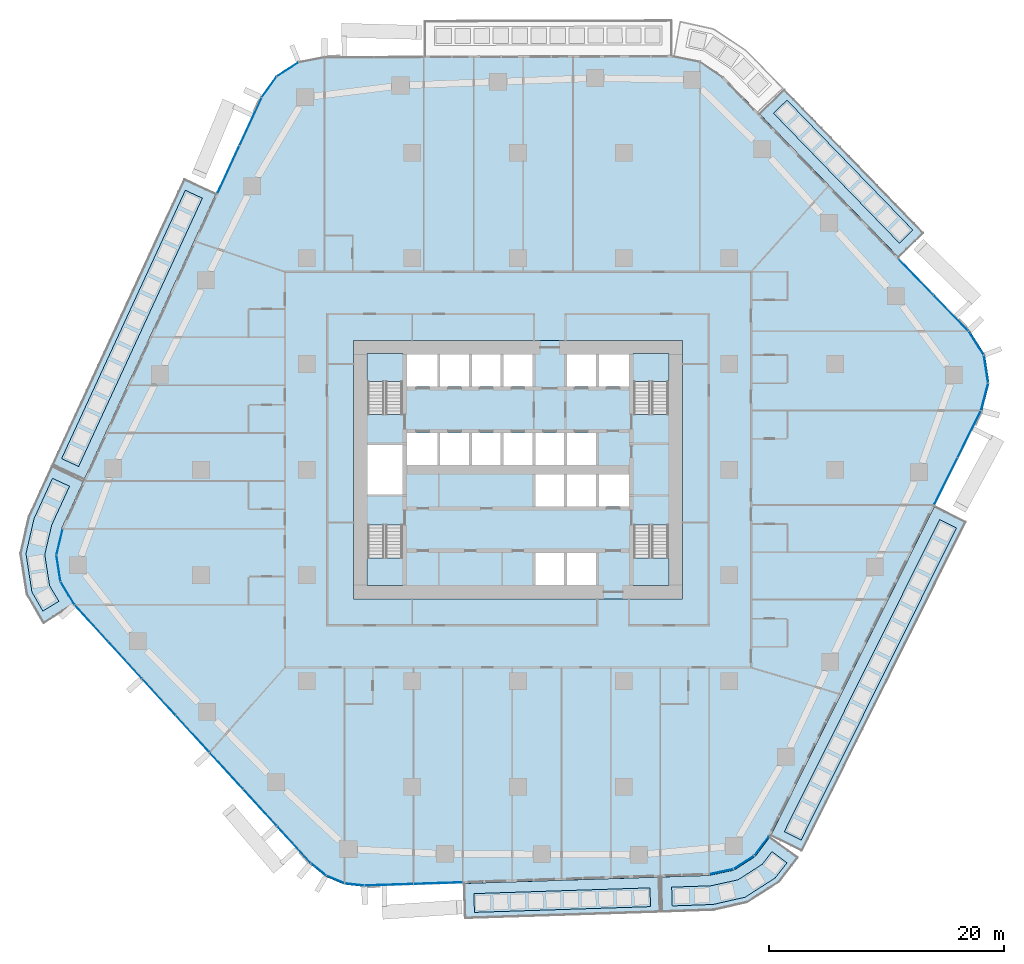
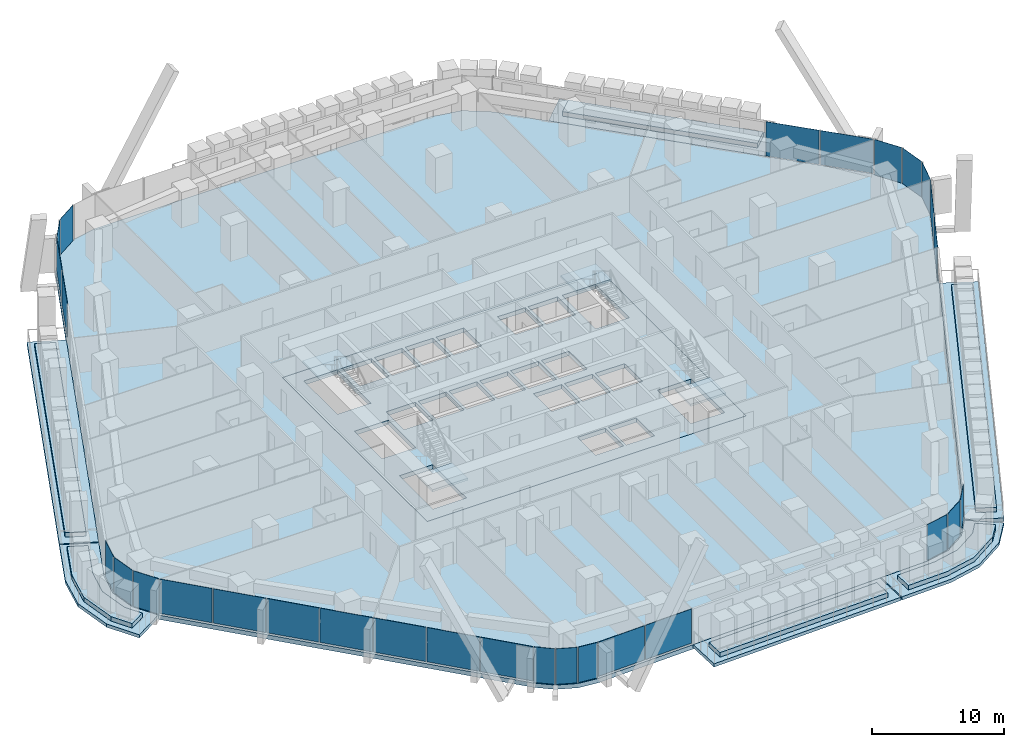
# One storey, part 11 of 27: 29 plates, 18 slabs, 14 elements without a shape of their own.
"""IFC4 building model written with IfcOpenShell, lengths in metres."""

from ifc_helpers import new_model, si_unit, direction, frame, origin, origin_2d, place, context, subcontext, project, spatial, polyline, rectangle, outline, extrude, material, layer, layer_set, type_object, element, aggregate, save


model = new_model("IFC4")

# Units and contexts
model_context = context("Model", 3, precision=1e-05, world=origin(), true_north=direction((0.0, 1.0)))
body_context = subcontext(model_context, "Body", "Model", "MODEL_VIEW")
ifc_project = project(units=[si_unit("LENGTHUNIT", "METRE"), si_unit("AREAUNIT", "SQUARE_METRE"), si_unit("VOLUMEUNIT", "CUBIC_METRE"), si_unit("PLANEANGLEUNIT", "RADIAN"), si_unit("MASSUNIT", "GRAM", prefix="KILO")], contexts=[model_context])

# Site, building, storey
site_placement = place(None, origin())
site = spatial("IfcSite", under=ifc_project, at=site_placement, CompositionType="ELEMENT")
building_placement = place(site_placement, origin())
building = spatial("IfcBuilding", under=site, at=building_placement, Name="Dongbaek Canopy Tower", CompositionType="ELEMENT")
storey_placement = place(building_placement, frame((0.0, 0.0, 62.5)))
storey = spatial("IfcBuildingStorey", under=building, at=storey_placement, Name="L11", CompositionType="ELEMENT", Elevation=62.5)

# Slabs
ifc_material_1 = material(Name="Concrete C40/50", Category="concrete")
ifc_layer_1 = layer(ifc_material_1, 0.300048828125)
ifc_layer_set_1 = layer_set([ifc_layer_1], Name="Balcony slab 300")
slab_type_1 = type_object("IfcSlabType", Name="Balcony slab 300", PredefinedType="FLOOR", material=ifc_layer_set_1)
slab_1_placement = place(storey_placement, frame((0.0, 0.0, -0.300048828125)))
element("IfcSlab", 1, at=slab_1_placement, inside=storey, type_object=slab_type_1, Name="Balcony L11 1", PredefinedType="FLOOR", context=body_context, shape_type="SweptSolid", body=[
    extrude(outline(polyline([(32.42578125, 18.0625), (20.51953125, 30.344482421875), (22.673583984375, 32.4326171875), (34.579833984375, 20.150634765625), (32.42578125, 18.0625)])), origin(), (0.0, 0.0, 1.0), 0.300048828125),
])
slab_2_placement = place(storey_placement, frame((0.0, 0.0, -0.300048828125)))
element("IfcSlab", 2, at=slab_2_placement, inside=storey, type_object=slab_type_1, Name="Balcony L11 3", PredefinedType="FLOOR", context=body_context, shape_type="SweptSolid", body=[
    extrude(outline(polyline([(-25.712890625, 23.520751953125), (-36.9619140625, -0.86962890625), (-39.68603515625, 0.38671875), (-28.43701171875, 24.777099609375), (-25.712890625, 23.520751953125)])), origin(), (0.0, 0.0, 1.0), 0.300048828125),
])
slab_3_placement = place(storey_placement, frame((0.0, 0.0, -0.300048828125)))
element("IfcSlab", 3, at=slab_3_placement, inside=storey, type_object=slab_type_1, Name="Balcony L11 7", PredefinedType="FLOOR", context=body_context, shape_type="SweptSolid", body=[
    extrude(outline(polyline([(-37.003662109375, -0.96044921875), (-38.864501953125, -4.9951171875), (-39.4111328125, -7.261474609375), (-39.052490234375, -9.56494140625), (-37.869140625, -11.51513671875), (-40.433837890625, -13.0712890625), (-41.870849609375, -10.59326171875), (-42.408447265625, -7.13818359375), (-41.698486328125, -4.0107421875), (-39.727783203125, 0.2958984375), (-37.003662109375, -0.96044921875)])), origin(), (0.0, 0.0, 1.0), 0.300048828125),
])
slab_4_placement = place(storey_placement, frame((0.0, 0.0, -0.300048828125)))
element("IfcSlab", 4, at=slab_4_placement, inside=storey, type_object=slab_type_1, Name="Balcony L11 4", PredefinedType="FLOOR", context=body_context, shape_type="SweptSolid", body=[
    extrude(outline(polyline([(-4.643310546875, -35.234130859375), (12.052001953125, -34.68896484375), (12.14990234375, -37.687255859375), (-4.545166015625, -38.232666015625), (-4.643310546875, -35.234130859375)])), origin(), (0.0, 0.0, 1.0), 0.300048828125),
])
slab_5_placement = place(storey_placement, frame((0.0, 0.0, -0.300048828125)))
element("IfcSlab", 5, at=slab_5_placement, inside=storey, type_object=slab_type_1, Name="Balcony L11 8", PredefinedType="FLOOR", context=body_context, shape_type="SweptSolid", body=[
    extrude(outline(polyline([(12.15185546875, -34.685546875), (16.30078125, -34.550048828125), (18.393798828125, -34.099609375), (20.1953125, -32.94287109375), (21.446044921875, -31.267333984375), (23.85009765625, -33.06201171875), (22.240478515625, -35.1376953125), (19.5380859375, -36.872802734375), (16.666748046875, -37.527587890625), (12.249755859375, -37.68408203125), (12.15185546875, -34.685546875)])), origin(), (0.0, 0.0, 1.0), 0.300048828125),
])
slab_6_placement = place(storey_placement, frame((0.0, 0.0, -0.300048828125)))
element("IfcSlab", 6, at=slab_6_placement, inside=storey, type_object=slab_type_1, Name="Balcony L11 5", PredefinedType="FLOOR", context=body_context, shape_type="SweptSolid", body=[
    extrude(outline(polyline([(21.498291015625, -31.1826171875), (35.4814453125, -3.095703125), (38.167236328125, -4.432861328125), (24.183837890625, -32.51953125), (21.498291015625, -31.1826171875)])), origin(), (0.0, 0.0, 1.0), 0.300048828125),
])

# Curtain wall, plates
ifc_material_2 = material(Name="Aluminium 6063-T6 pale anodised", Category="aluminium")
ifc_layer_2 = layer(ifc_material_2, 0.199951171875)
ifc_layer_set_2 = layer_set([ifc_layer_2], Name="CW-1 unitised tower curtain wall")
curtain_wall_type = type_object("IfcCurtainWallType", Name="CW-1 unitised tower curtain wall", PredefinedType="NOTDEFINED", material=ifc_layer_set_2)
curtain_wall_1_placement = place(storey_placement, origin())
curtain_wall_1 = element("IfcCurtainWall", 7, at=curtain_wall_1_placement, inside=storey, type_object=curtain_wall_type, Name="CW-1 curtain wall K0.1", PredefinedType="NOTDEFINED")
ifc_material_3 = material(Name="Clear laminated glass", Category="glass")
ifc_layer_3 = layer(ifc_material_3, 0.028076171875)
ifc_layer_set_3 = layer_set([ifc_layer_3], Name="CW-1 glazed panel 28")
plate_type = type_object("IfcPlateType", Name="CW-1 glazed panel 28", PredefinedType="CURTAIN_PANEL", material=ifc_layer_set_3)
plate_1_placement = place(storey_placement, frame((39.72412109375, 6.202880859375, 0.0), z_axis=(0.0, 0.0, 1.0), x_axis=(0.253824279961, 0.967250347585, 0.0)))
plate_1 = element("IfcPlate", 8, at=plate_1_placement, type_object=plate_type, Name="CW-1 panel K0.1.1.1", PredefinedType="CURTAIN_PANEL", context=body_context, shape_type="SweptSolid", body=[
    extrude(rectangle(XDim=2.331298828125, YDim=0.028076171875, at=origin_2d()), origin(), (0.0, 0.0, 1.0), 3.300048828125),
])
plate_2_placement = place(storey_placement, frame((39.84619140625, 8.55908203125, 0.0), z_axis=(0.0, 0.0, 1.0), x_axis=(-0.153359578382, 0.988170450741, 0.0)))
plate_2 = element("IfcPlate", 9, at=plate_2_placement, type_object=plate_type, Name="CW-1 panel K0.1.2.1", PredefinedType="CURTAIN_PANEL", context=body_context, shape_type="SweptSolid", body=[
    extrude(rectangle(XDim=2.32080078125, YDim=0.028076171875, at=origin_2d()), origin(), (0.0, 0.0, 1.0), 3.300048828125),
])
plate_3_placement = place(storey_placement, frame((39.015869140625, 10.767333984375, 0.0), z_axis=(0.0, 0.0, 1.0), x_axis=(-0.535049500926, 0.844820709713, 0.0)))
plate_3 = element("IfcPlate", 10, at=plate_3_placement, type_object=plate_type, Name="CW-1 panel K0.1.3.1", PredefinedType="CURTAIN_PANEL", context=body_context, shape_type="SweptSolid", body=[
    extrude(rectangle(XDim=2.331298828125, YDim=0.028076171875, at=origin_2d()), origin(), (0.0, 0.0, 1.0), 3.300048828125),
])
aggregate(curtain_wall_1, [plate_1, plate_2, plate_3])

curtain_wall_2_placement = place(storey_placement, origin())
curtain_wall_2 = element("IfcCurtainWall", 11, at=curtain_wall_2_placement, inside=storey, type_object=curtain_wall_type, Name="CW-1 curtain wall F0.1", PredefinedType="NOTDEFINED")
plate_4_placement = place(storey_placement, frame((36.876220703125, 13.328125, 0.1201171875), z_axis=(0.0, 0.0, 1.0), x_axis=(-0.69603897457, 0.718004001298, 0.0)))
plate_4 = element("IfcPlate", 12, at=plate_4_placement, type_object=plate_type, Name="CW-1 panel F0.1.1.1", PredefinedType="CURTAIN_PANEL", context=body_context, shape_type="SweptSolid", body=[
    extrude(rectangle(XDim=4.20703125, YDim=0.028076171875, at=origin_2d()), origin(), (0.0, 0.0, 1.0), 3.179931640625),
])
plate_5_placement = place(storey_placement, frame((33.885986328125, 16.412841796875, 0.1201171875), z_axis=(0.0, 0.0, 1.0), x_axis=(-0.69603897457, 0.718004001298, 0.0)))
plate_5 = element("IfcPlate", 13, at=plate_5_placement, type_object=plate_type, Name="CW-1 panel F0.1.2.1", PredefinedType="CURTAIN_PANEL", context=body_context, shape_type="SweptSolid", body=[
    extrude(rectangle(XDim=4.217529296875, YDim=0.028076171875, at=origin_2d()), origin(), (0.0, 0.0, 1.0), 3.179931640625),
])
aggregate(curtain_wall_2, [plate_4, plate_5])

curtain_wall_3_placement = place(storey_placement, origin())
curtain_wall_3 = element("IfcCurtainWall", 14, at=curtain_wall_3_placement, inside=storey, type_object=curtain_wall_type, Name="CW-1 curtain wall K2.1", PredefinedType="NOTDEFINED")
plate_6_placement = place(storey_placement, frame((-19.60888671875, 34.08837890625, 0.0), z_axis=(0.0, 0.0, 1.0), x_axis=(-0.841542992553, -0.540190144009, 0.0)))
plate_6 = element("IfcPlate", 15, at=plate_6_placement, type_object=plate_type, Name="CW-1 panel K2.1.2.1", PredefinedType="CURTAIN_PANEL", context=body_context, shape_type="SweptSolid", body=[
    extrude(rectangle(XDim=2.13623046875, YDim=0.028076171875, at=origin_2d()), origin(), (0.0, 0.0, 1.0), 3.300048828125),
])
plate_7_placement = place(storey_placement, frame((-21.1923828125, 32.582275390625, 0.0), z_axis=(0.0, 0.0, 1.0), x_axis=(-0.58222955905, -0.813024440327, 0.0)))
plate_7 = element("IfcPlate", 16, at=plate_7_placement, type_object=plate_type, Name="CW-1 panel K2.1.3.1", PredefinedType="CURTAIN_PANEL", context=body_context, shape_type="SweptSolid", body=[
    extrude(rectangle(XDim=2.145751953125, YDim=0.028076171875, at=origin_2d()), origin(), (0.0, 0.0, 1.0), 3.300048828125),
])
aggregate(curtain_wall_3, [plate_6, plate_7])

curtain_wall_4_placement = place(storey_placement, origin())
curtain_wall_4 = element("IfcCurtainWall", 17, at=curtain_wall_4_placement, inside=storey, type_object=curtain_wall_type, Name="CW-1 curtain wall F2.1", PredefinedType="NOTDEFINED")
plate_8_placement = place(storey_placement, frame((-22.7802734375, 29.64013671875, 0.1201171875), z_axis=(0.0, 0.0, 1.0), x_axis=(-0.418811237761, -0.908073315942, 0.0)))
plate_8 = element("IfcPlate", 18, at=plate_8_placement, type_object=plate_type, Name="CW-1 panel F2.1.1.1", PredefinedType="CURTAIN_PANEL", context=body_context, shape_type="SweptSolid", body=[
    extrude(rectangle(XDim=4.399658203125, YDim=0.028076171875, at=origin_2d()), origin(), (0.0, 0.0, 1.0), 3.179931640625),
])
plate_9_placement = place(storey_placement, frame((-24.66015625, 25.564208984375, 0.1201171875), z_axis=(0.0, 0.0, 1.0), x_axis=(-0.418811237761, -0.908073315942, 0.0)))
plate_9 = element("IfcPlate", 19, at=plate_9_placement, type_object=plate_type, Name="CW-1 panel F2.1.2.1", PredefinedType="CURTAIN_PANEL", context=body_context, shape_type="SweptSolid", body=[
    extrude(rectangle(XDim=4.4091796875, YDim=0.028076171875, at=origin_2d()), origin(), (0.0, 0.0, 1.0), 3.179931640625),
])
aggregate(curtain_wall_4, [plate_8, plate_9])

curtain_wall_5_placement = place(storey_placement, origin())
curtain_wall_5 = element("IfcCurtainWall", 20, at=curtain_wall_5_placement, inside=storey, type_object=curtain_wall_type, Name="CW-1 curtain wall K3.1", PredefinedType="NOTDEFINED")
plate_10_placement = place(storey_placement, frame((-39.039306640625, -6.14697265625, 0.0), z_axis=(0.0, 0.0, 1.0), x_axis=(-0.234426155639, -0.972133929843, 0.0)))
plate_10 = element("IfcPlate", 21, at=plate_10_placement, type_object=plate_type, Name="CW-1 panel K3.1.1.1", PredefinedType="CURTAIN_PANEL", context=body_context, shape_type="SweptSolid", body=[
    extrude(rectangle(XDim=2.217529296875, YDim=0.028076171875, at=origin_2d()), origin(), (0.0, 0.0, 1.0), 3.300048828125),
])
plate_11_placement = place(storey_placement, frame((-39.133056640625, -8.397705078125, 0.0), z_axis=(0.0, 0.0, 1.0), x_axis=(0.153774363281, -0.988105988848, 0.0)))
plate_11 = element("IfcPlate", 22, at=plate_11_placement, type_object=plate_type, Name="CW-1 panel K3.1.2.1", PredefinedType="CURTAIN_PANEL", context=body_context, shape_type="SweptSolid", body=[
    extrude(rectangle(XDim=2.20751953125, YDim=0.028076171875, at=origin_2d()), origin(), (0.0, 0.0, 1.0), 3.300048828125),
])
plate_12_placement = place(storey_placement, frame((-38.35986328125, -10.513671875, 0.0), z_axis=(0.0, 0.0, 1.0), x_axis=(0.518761911703, -0.854918755769, 0.0)))
plate_12 = element("IfcPlate", 23, at=plate_12_placement, type_object=plate_type, Name="CW-1 panel K3.1.3.1", PredefinedType="CURTAIN_PANEL", context=body_context, shape_type="SweptSolid", body=[
    extrude(rectangle(XDim=2.217529296875, YDim=0.028076171875, at=origin_2d()), origin(), (0.0, 0.0, 1.0), 3.300048828125),
])
aggregate(curtain_wall_5, [plate_10, plate_11, plate_12])

curtain_wall_6_placement = place(storey_placement, origin())
curtain_wall_6 = element("IfcCurtainWall", 24, at=curtain_wall_6_placement, inside=storey, type_object=curtain_wall_type, Name="CW-1 curtain wall F3.1", PredefinedType="NOTDEFINED")
plate_13_placement = place(storey_placement, frame((-36.328369140625, -13.065673828125, 0.1201171875), z_axis=(0.0, 0.0, 1.0), x_axis=(0.674959422667, -0.737854848702, 0.0)))
plate_13 = element("IfcPlate", 25, at=plate_13_placement, type_object=plate_type, Name="CW-1 panel F3.1.1.1", PredefinedType="CURTAIN_PANEL", context=body_context, shape_type="SweptSolid", body=[
    extrude(rectangle(XDim=4.166748046875, YDim=0.028076171875, at=origin_2d()), origin(), (0.0, 0.0, 1.0), 3.179931640625),
])
plate_14_placement = place(storey_placement, frame((-33.4560546875, -16.205810546875, 0.1201171875), z_axis=(0.0, 0.0, 1.0), x_axis=(0.674959422667, -0.737854848702, 0.0)))
plate_14 = element("IfcPlate", 26, at=plate_14_placement, type_object=plate_type, Name="CW-1 panel F3.1.2.1", PredefinedType="CURTAIN_PANEL", context=body_context, shape_type="SweptSolid", body=[
    extrude(rectangle(XDim=4.176513671875, YDim=0.028076171875, at=origin_2d()), origin(), (0.0, 0.0, 1.0), 3.179931640625),
])
plate_15_placement = place(storey_placement, frame((-30.580322265625, -19.349365234375, 0.1201171875), z_axis=(0.0, 0.0, 1.0), x_axis=(0.674959422667, -0.737854848702, 0.0)))
plate_15 = element("IfcPlate", 27, at=plate_15_placement, type_object=plate_type, Name="CW-1 panel F3.1.3.1", PredefinedType="CURTAIN_PANEL", context=body_context, shape_type="SweptSolid", body=[
    extrude(rectangle(XDim=4.176513671875, YDim=0.028076171875, at=origin_2d()), origin(), (0.0, 0.0, 1.0), 3.179931640625),
])
plate_16_placement = place(storey_placement, frame((-27.704833984375, -22.492919921875, 0.1201171875), z_axis=(0.0, 0.0, 1.0), x_axis=(0.674959422667, -0.737854848702, 0.0)))
plate_16 = element("IfcPlate", 28, at=plate_16_placement, type_object=plate_type, Name="CW-1 panel F3.1.4.1", PredefinedType="CURTAIN_PANEL", context=body_context, shape_type="SweptSolid", body=[
    extrude(rectangle(XDim=4.176513671875, YDim=0.028076171875, at=origin_2d()), origin(), (0.0, 0.0, 1.0), 3.179931640625),
])
plate_17_placement = place(storey_placement, frame((-24.8291015625, -25.636474609375, 0.1201171875), z_axis=(0.0, 0.0, 1.0), x_axis=(0.674959422667, -0.737854848702, 0.0)))
plate_17 = element("IfcPlate", 29, at=plate_17_placement, type_object=plate_type, Name="CW-1 panel F3.1.5.1", PredefinedType="CURTAIN_PANEL", context=body_context, shape_type="SweptSolid", body=[
    extrude(rectangle(XDim=4.176513671875, YDim=0.028076171875, at=origin_2d()), origin(), (0.0, 0.0, 1.0), 3.179931640625),
])
plate_18_placement = place(storey_placement, frame((-21.953369140625, -28.780029296875, 0.1201171875), z_axis=(0.0, 0.0, 1.0), x_axis=(0.674959422667, -0.737854848702, 0.0)))
plate_18 = element("IfcPlate", 30, at=plate_18_placement, type_object=plate_type, Name="CW-1 panel F3.1.6.1", PredefinedType="CURTAIN_PANEL", context=body_context, shape_type="SweptSolid", body=[
    extrude(rectangle(XDim=4.176513671875, YDim=0.028076171875, at=origin_2d()), origin(), (0.0, 0.0, 1.0), 3.179931640625),
])
plate_19_placement = place(storey_placement, frame((-19.080322265625, -31.921142578125, 0.1201171875), z_axis=(0.0, 0.0, 1.0), x_axis=(0.674959422667, -0.737854848702, 0.0)))
plate_19 = element("IfcPlate", 31, at=plate_19_placement, type_object=plate_type, Name="CW-1 panel F3.1.7.1", PredefinedType="CURTAIN_PANEL", context=body_context, shape_type="SweptSolid", body=[
    extrude(rectangle(XDim=4.169189453125, YDim=0.028076171875, at=origin_2d()), origin(), (0.0, 0.0, 1.0), 3.179931640625),
])
aggregate(curtain_wall_6, [plate_13, plate_14, plate_15, plate_16, plate_17, plate_18, plate_19])

curtain_wall_7_placement = place(storey_placement, origin())
curtain_wall_7 = element("IfcCurtainWall", 32, at=curtain_wall_7_placement, inside=storey, type_object=curtain_wall_type, Name="CW-1 curtain wall K4.1", PredefinedType="NOTDEFINED")
plate_20_placement = place(storey_placement, frame((-16.98828125, -34.02783203125, 0.0), z_axis=(0.0, 0.0, 1.0), x_axis=(0.773703452256, -0.633547920813, 0.0)))
plate_20 = element("IfcPlate", 33, at=plate_20_placement, type_object=plate_type, Name="CW-1 panel K4.1.1.1", PredefinedType="CURTAIN_PANEL", context=body_context, shape_type="SweptSolid", body=[
    extrude(rectangle(XDim=1.613525390625, YDim=0.028076171875, at=origin_2d()), origin(), (0.0, 0.0, 1.0), 3.300048828125),
])
plate_21_placement = place(storey_placement, frame((-15.552734375, -34.893798828125, 0.0), z_axis=(0.0, 0.0, 1.0), x_axis=(0.921598440482, -0.388144708196, 0.0)))
plate_21 = element("IfcPlate", 34, at=plate_21_placement, type_object=plate_type, Name="CW-1 panel K4.1.2.1", PredefinedType="CURTAIN_PANEL", context=body_context, shape_type="SweptSolid", body=[
    extrude(rectangle(XDim=1.606201171875, YDim=0.028076171875, at=origin_2d()), origin(), (0.0, 0.0, 1.0), 3.300048828125),
])
plate_22_placement = place(storey_placement, frame((-13.930419921875, -35.31591796875, 0.0), z_axis=(0.0, 0.0, 1.0), x_axis=(0.993834192514, -0.110876497913, 0.0)))
plate_22 = element("IfcPlate", 35, at=plate_22_placement, type_object=plate_type, Name="CW-1 panel K4.1.3.1", PredefinedType="CURTAIN_PANEL", context=body_context, shape_type="SweptSolid", body=[
    extrude(rectangle(XDim=1.613525390625, YDim=0.028076171875, at=origin_2d()), origin(), (0.0, 0.0, 1.0), 3.300048828125),
])
aggregate(curtain_wall_7, [plate_20, plate_21, plate_22])

curtain_wall_8_placement = place(storey_placement, origin())
curtain_wall_8 = element("IfcCurtainWall", 36, at=curtain_wall_8_placement, inside=storey, type_object=curtain_wall_type, Name="CW-1 curtain wall F4.1", PredefinedType="NOTDEFINED")
plate_23_placement = place(storey_placement, frame((-10.990966796875, -35.341552734375, 0.1201171875), z_axis=(0.0, 0.0, 1.0), x_axis=(0.999466990626, 0.032645591573, 0.0)))
plate_23 = element("IfcPlate", 37, at=plate_23_placement, type_object=plate_type, Name="CW-1 panel F4.1.1.1", PredefinedType="CURTAIN_PANEL", context=body_context, shape_type="SweptSolid", body=[
    extrude(rectangle(XDim=4.10986328125, YDim=0.028076171875, at=origin_2d()), origin(), (0.0, 0.0, 1.0), 3.179931640625),
])
plate_24_placement = place(storey_placement, frame((-6.7958984375, -35.204345703125, 0.1201171875), z_axis=(0.0, 0.0, 1.0), x_axis=(0.999466990626, 0.032645591573, 0.0)))
plate_24 = element("IfcPlate", 38, at=plate_24_placement, type_object=plate_type, Name="CW-1 panel F4.1.2.1", PredefinedType="CURTAIN_PANEL", context=body_context, shape_type="SweptSolid", body=[
    extrude(rectangle(XDim=4.116943359375, YDim=0.028076171875, at=origin_2d()), origin(), (0.0, 0.0, 1.0), 3.179931640625),
])
aggregate(curtain_wall_8, [plate_23, plate_24])

curtain_wall_9_placement = place(storey_placement, origin())
curtain_wall_9 = element("IfcCurtainWall", 39, at=curtain_wall_9_placement, inside=storey, type_object=curtain_wall_type, Name="CW-1 curtain wall K5.1", PredefinedType="NOTDEFINED")
plate_25_placement = place(storey_placement, frame((17.32177734375, -34.22802734375, 0.0), z_axis=(0.0, 0.0, 1.0), x_axis=(0.977607769936, 0.210435377636, 0.0)))
plate_25 = element("IfcPlate", 40, at=plate_25_placement, type_object=plate_type, Name="CW-1 panel K5.1.1.1", PredefinedType="CURTAIN_PANEL", context=body_context, shape_type="SweptSolid", body=[
    extrude(rectangle(XDim=2.02978515625, YDim=0.028076171875, at=origin_2d()), origin(), (0.0, 0.0, 1.0), 3.300048828125),
])
plate_26_placement = place(storey_placement, frame((19.240478515625, -33.43701171875, 0.0), z_axis=(0.0, 0.0, 1.0), x_axis=(0.841491649335, 0.54027012142, 0.0)))
plate_26 = element("IfcPlate", 41, at=plate_26_placement, type_object=plate_type, Name="CW-1 panel K5.1.2.1", PredefinedType="CURTAIN_PANEL", context=body_context, shape_type="SweptSolid", body=[
    extrude(rectangle(XDim=2.020751953125, YDim=0.028076171875, at=origin_2d()), origin(), (0.0, 0.0, 1.0), 3.300048828125),
])
plate_27_placement = place(storey_placement, frame((20.75830078125, -32.021728515625, 0.0), z_axis=(0.0, 0.0, 1.0), x_axis=(0.598238026638, 0.801318453228, 0.0)))
plate_27 = element("IfcPlate", 42, at=plate_27_placement, type_object=plate_type, Name="CW-1 panel K5.1.3.1", PredefinedType="CURTAIN_PANEL", context=body_context, shape_type="SweptSolid", body=[
    extrude(rectangle(XDim=2.02978515625, YDim=0.028076171875, at=origin_2d()), origin(), (0.0, 0.0, 1.0), 3.300048828125),
])
aggregate(curtain_wall_9, [plate_25, plate_26, plate_27])

curtain_wall_10_placement = place(storey_placement, origin())
curtain_wall_10 = element("IfcCurtainWall", 43, at=curtain_wall_10_placement, inside=storey, type_object=curtain_wall_type, Name="CW-1 curtain wall F5.1", PredefinedType="NOTDEFINED")
plate_28_placement = place(storey_placement, frame((36.416259765625, -0.993896484375, 0.1201171875), z_axis=(0.0, 0.0, 1.0), x_axis=(0.445678057682, 0.895193313704, 0.0)))
plate_28 = element("IfcPlate", 44, at=plate_28_placement, type_object=plate_type, Name="CW-1 panel F5.1.1.1", PredefinedType="CURTAIN_PANEL", context=body_context, shape_type="SweptSolid", body=[
    extrude(rectangle(XDim=4.412353515625, YDim=0.028076171875, at=origin_2d()), origin(), (0.0, 0.0, 1.0), 3.179931640625),
])
plate_29_placement = place(storey_placement, frame((38.41796875, 3.02685546875, 0.1201171875), z_axis=(0.0, 0.0, 1.0), x_axis=(0.445678057682, 0.895193313704, 0.0)))
plate_29 = element("IfcPlate", 45, at=plate_29_placement, type_object=plate_type, Name="CW-1 panel F5.1.2.1", PredefinedType="CURTAIN_PANEL", context=body_context, shape_type="SweptSolid", body=[
    extrude(rectangle(XDim=4.402099609375, YDim=0.028076171875, at=origin_2d()), origin(), (0.0, 0.0, 1.0), 3.179931640625),
])
aggregate(curtain_wall_10, [plate_28, plate_29])

# Slab
ifc_material_4 = material(Name="Concrete C40/50", Category="concrete")
ifc_layer_4 = layer(ifc_material_4, 0.39990234375)
ifc_layer_set_4 = layer_set([ifc_layer_4], Name="Core floor slab 400 Concrete C40/50")
slab_type_2 = type_object("IfcSlabType", Name="Core floor slab 400 Concrete C40/50", PredefinedType="FLOOR", material=ifc_layer_set_4)
slab_7_placement = place(storey_placement, frame((0.0, 0.0, -0.39990234375)))
element("IfcSlab", 46, at=slab_7_placement, inside=storey, type_object=slab_type_2, Name="Core floor slab L11", PredefinedType="FLOOR", context=body_context, shape_type="SweptSolid", body=[
    extrude(outline(polyline([(14.0, -11.0), (14.0, 11.0), (-14.0, 11.0), (-14.0, -11.0), (14.0, -11.0)]), holes=[polyline([(-12.800048828125, 2.10009765625), (-9.85009765625, 2.10009765625), (-9.85009765625, -2.10009765625), (-12.800048828125, -2.10009765625), (-12.800048828125, 2.10009765625)]), polyline([(-6.875, 9.800048828125), (-6.875, 7.074951171875), (-9.449951171875, 7.074951171875), (-9.449951171875, 9.800048828125), (-6.875, 9.800048828125)]), polyline([(-4.175048828125, 9.800048828125), (-4.175048828125, 7.074951171875), (-6.625, 7.074951171875), (-6.625, 9.800048828125), (-4.175048828125, 9.800048828125)]), polyline([(-1.47509765625, 9.800048828125), (-1.47509765625, 7.074951171875), (-3.925048828125, 7.074951171875), (-3.925048828125, 9.800048828125), (-1.47509765625, 9.800048828125)]), polyline([(1.22509765625, 9.800048828125), (1.22509765625, 7.074951171875), (-1.22509765625, 7.074951171875), (-1.22509765625, 9.800048828125), (1.22509765625, 9.800048828125)]), polyline([(6.625, 9.800048828125), (6.625, 7.074951171875), (4.175048828125, 7.074951171875), (4.175048828125, 9.800048828125), (6.625, 9.800048828125)]), polyline([(9.449951171875, 7.074951171875), (6.875, 7.074951171875), (6.875, 9.800048828125), (9.449951171875, 9.800048828125), (9.449951171875, 7.074951171875)]), polyline([(-9.449951171875, 3.125), (-6.875, 3.125), (-6.875, 0.39990234375), (-9.449951171875, 0.39990234375), (-9.449951171875, 3.125)]), polyline([(-6.625, 3.125), (-4.175048828125, 3.125), (-4.175048828125, 0.39990234375), (-6.625, 0.39990234375), (-6.625, 3.125)]), polyline([(-3.925048828125, 3.125), (-1.47509765625, 3.125), (-1.47509765625, 0.39990234375), (-3.925048828125, 0.39990234375), (-3.925048828125, 3.125)]), polyline([(-1.22509765625, 3.125), (1.22509765625, 3.125), (1.22509765625, 0.39990234375), (-1.22509765625, 0.39990234375), (-1.22509765625, 3.125)]), polyline([(1.47509765625, 0.39990234375), (1.47509765625, 3.125), (3.925048828125, 3.125), (3.925048828125, 0.39990234375), (1.47509765625, 0.39990234375)]), polyline([(4.175048828125, 0.39990234375), (4.175048828125, 3.125), (6.625, 3.125), (6.625, 0.39990234375), (4.175048828125, 0.39990234375)]), polyline([(3.925048828125, -0.39990234375), (3.925048828125, -3.125), (1.47509765625, -3.125), (1.47509765625, -0.39990234375), (3.925048828125, -0.39990234375)]), polyline([(6.625, -0.39990234375), (6.625, -3.125), (4.175048828125, -3.125), (4.175048828125, -0.39990234375), (6.625, -0.39990234375)]), polyline([(9.449951171875, -3.125), (6.875, -3.125), (6.875, -0.39990234375), (9.449951171875, -0.39990234375), (9.449951171875, -3.125)]), polyline([(1.47509765625, -9.800048828125), (1.47509765625, -7.074951171875), (3.925048828125, -7.074951171875), (3.925048828125, -9.800048828125), (1.47509765625, -9.800048828125)]), polyline([(4.175048828125, -9.800048828125), (4.175048828125, -7.074951171875), (6.625, -7.074951171875), (6.625, -9.800048828125), (4.175048828125, -9.800048828125)]), polyline([(12.800048828125, 4.70068359375), (12.800048828125, 9.800048828125), (9.85009765625, 9.800048828125), (9.85009765625, 4.70068359375), (12.800048828125, 4.70068359375)]), polyline([(-9.85009765625, 4.70068359375), (-9.85009765625, 9.800048828125), (-12.800048828125, 9.800048828125), (-12.800048828125, 4.70068359375), (-9.85009765625, 4.70068359375)]), polyline([(9.85009765625, -4.70068359375), (9.85009765625, -9.800048828125), (12.800048828125, -9.800048828125), (12.800048828125, -4.70068359375), (9.85009765625, -4.70068359375)]), polyline([(-12.800048828125, -4.70068359375), (-12.800048828125, -9.800048828125), (-9.85009765625, -9.800048828125), (-9.85009765625, -4.70068359375), (-12.800048828125, -4.70068359375)])]), origin(), (0.0, 0.0, 1.0), 0.39990234375),
])

# Stair, slab
ifc_material_5 = material(Name="Concrete C40/50", Category="concrete")
stair_type = type_object("IfcStairType", Name="Core exit stair", PredefinedType="HALF_TURN_STAIR", material=ifc_material_5)
stair_1_placement = place(storey_placement, origin())
stair_1 = element("IfcStair", 47, at=stair_1_placement, inside=storey, type_object=stair_type, Name="L11 exit stair A", PredefinedType="HALF_TURN_STAIR")
ifc_material_6 = material(Name="Concrete C40/50", Category="concrete")
ifc_layer_5 = layer(ifc_material_6, 0.199951171875)
ifc_layer_set_5 = layer_set([ifc_layer_5], Name="Core stair landing 200")
slab_type_3 = type_object("IfcSlabType", Name="Core stair landing 200", PredefinedType="LANDING", material=ifc_layer_set_5)
slab_8_placement = place(storey_placement, frame((0.0, 0.0, 1.64990234375)))
slab_8 = element("IfcSlab", 48, at=slab_8_placement, type_object=slab_type_3, Name="ST-A landing 1", PredefinedType="LANDING", context=body_context, shape_type="SweptSolid", body=[
    extrude(outline(polyline([(12.875, 7.5), (12.875, 9.875), (9.77490234375, 9.875), (9.77490234375, 7.5), (12.875, 7.5)])), origin(), (0.0, 0.0, 1.0), 0.2001953125),
])
aggregate(stair_1, [slab_8])

stair_2_placement = place(storey_placement, origin())
stair_2 = element("IfcStair", 49, at=stair_2_placement, inside=storey, type_object=stair_type, Name="L11 exit stair C", PredefinedType="HALF_TURN_STAIR")
slab_9_placement = place(storey_placement, frame((0.0, 0.0, 1.64990234375)))
slab_9 = element("IfcSlab", 50, at=slab_9_placement, type_object=slab_type_3, Name="ST-C landing 1", PredefinedType="LANDING", context=body_context, shape_type="SweptSolid", body=[
    extrude(outline(polyline([(-9.77490234375, 7.5), (-9.77490234375, 9.875), (-12.875, 9.875), (-12.875, 7.5), (-9.77490234375, 7.5)])), origin(), (0.0, 0.0, 1.0), 0.2001953125),
])
aggregate(stair_2, [slab_9])

stair_3_placement = place(storey_placement, origin())
stair_3 = element("IfcStair", 51, at=stair_3_placement, inside=storey, type_object=stair_type, Name="L11 exit stair B", PredefinedType="HALF_TURN_STAIR")
slab_10_placement = place(storey_placement, frame((0.0, 0.0, 1.64990234375)))
slab_10 = element("IfcSlab", 52, at=slab_10_placement, type_object=slab_type_3, Name="ST-B landing 1", PredefinedType="LANDING", context=body_context, shape_type="SweptSolid", body=[
    extrude(outline(polyline([(9.77490234375, -7.5), (9.77490234375, -9.875), (12.875, -9.875), (12.875, -7.5), (9.77490234375, -7.5)])), origin(), (0.0, 0.0, 1.0), 0.2001953125),
])
aggregate(stair_3, [slab_10])

stair_4_placement = place(storey_placement, origin())
stair_4 = element("IfcStair", 53, at=stair_4_placement, inside=storey, type_object=stair_type, Name="L11 exit stair D", PredefinedType="HALF_TURN_STAIR")
slab_11_placement = place(storey_placement, frame((0.0, 0.0, 1.64990234375)))
slab_11 = element("IfcSlab", 54, at=slab_11_placement, type_object=slab_type_3, Name="ST-D landing 1", PredefinedType="LANDING", context=body_context, shape_type="SweptSolid", body=[
    extrude(outline(polyline([(-12.875, -7.5), (-12.875, -9.875), (-9.77490234375, -9.875), (-9.77490234375, -7.5), (-12.875, -7.5)])), origin(), (0.0, 0.0, 1.0), 0.2001953125),
])
aggregate(stair_4, [slab_11])

# Slabs
ifc_material_7 = material(Name="Concrete C40", Category="concrete")
ifc_layer_6 = layer(ifc_material_7, 0.39990234375)
ifc_layer_set_6 = layer_set([ifc_layer_6], Name="RC FLAT PLATE 400 Concrete C40")
slab_type_4 = type_object("IfcSlabType", Name="RC FLAT PLATE 400 Concrete C40", PredefinedType="FLOOR", material=ifc_layer_set_6)
slab_12_placement = place(storey_placement, frame((0.0, 0.0, -0.39990234375)))
element("IfcSlab", 55, at=slab_12_placement, inside=storey, type_object=slab_type_4, Name="SLAB:L11", PredefinedType="FLOOR", context=body_context, shape_type="SweptSolid", body=[
    extrude(outline(polyline([(21.47607421875, -31.227294921875), (20.1953125, -32.94287109375), (18.393798828125, -34.099609375), (16.30078125, -34.550048828125), (-13.0908203125, -35.510009765625), (-14.79931640625, -35.319580078125), (-16.3837890625, -34.652099609375), (-17.7138671875, -33.56298828125), (-37.84326171875, -11.557861328125), (-39.052490234375, -9.56494140625), (-39.410888671875, -7.261474609375), (-38.864501953125, -4.9951171875), (-21.92822265625, 31.726318359375), (-20.61328125, 33.5625), (-18.712646484375, 34.78271484375), (-16.495849609375, 35.21337890625), (13.166748046875, 35.29248046875), (15.514404296875, 34.821044921875), (17.49072265625, 33.468994140625), (38.448486328125, 11.849609375), (39.757568359375, 9.782958984375), (40.1328125, 7.365478515625), (39.51171875, 4.99951171875), (21.47607421875, -31.227294921875)]), holes=[polyline([(14.0, 11.0), (-14.0, 11.0), (-14.0, -11.0), (14.0, -11.0), (14.0, 11.0)])]), origin(), (0.0, 0.0, 1.0), 0.39990234375),
])
ifc_material_8 = material(Name="Reinforced concrete C40/50 planter box with soil", Category="concrete")
ifc_layer_7 = layer(ifc_material_8, 0.419921875)
ifc_layer_set_7 = layer_set([ifc_layer_7], Name="Terrace planter box 1600 x 420")
slab_type_5 = type_object("IfcSlabType", Name="Terrace planter box 1600 x 420", PredefinedType="USERDEFINED", material=ifc_layer_set_7)
slab_13_placement = place(storey_placement, origin())
element("IfcSlab", 56, at=slab_13_placement, inside=storey, type_object=slab_type_5, Name="Balcony planter L11 1", ObjectType="PLANTER", PredefinedType="USERDEFINED", context=body_context, shape_type="SweptSolid", body=[
    extrude(outline(polyline([(32.473388671875, 19.292236328125), (21.750244140625, 30.353759765625), (22.899169921875, 31.46728515625), (33.6220703125, 20.406005859375), (32.473388671875, 19.292236328125)])), origin(), (0.0, 0.0, 1.0), 0.419921875),
])
slab_14_placement = place(storey_placement, origin())
element("IfcSlab", 57, at=slab_14_placement, inside=storey, type_object=slab_type_5, Name="Balcony planter L11 3", ObjectType="PLANTER", PredefinedType="USERDEFINED", context=body_context, shape_type="SweptSolid", body=[
    extrude(outline(polyline([(-26.876953125, 23.12158203125), (-37.4140625, 0.27490234375), (-38.866943359375, 0.945068359375), (-28.329833984375, 23.791748046875), (-26.876953125, 23.12158203125)])), origin(), (0.0, 0.0, 1.0), 0.419921875),
])
slab_15_placement = place(storey_placement, origin())
element("IfcSlab", 58, at=slab_15_placement, inside=storey, type_object=slab_type_5, Name="Balcony planter L11 7", ObjectType="PLANTER", PredefinedType="USERDEFINED", context=body_context, shape_type="SweptSolid", body=[
    extrude(outline(polyline([(-38.188720703125, -1.405029296875), (-39.705322265625, -4.703125), (-40.30029296875, -7.224853515625), (-39.888671875, -9.869873046875), (-39.096923828125, -11.207275390625), (-40.46484375, -12.037353515625), (-41.3916015625, -10.41845703125), (-41.89892578125, -7.158935546875), (-41.216552734375, -4.177978515625), (-39.6416015625, -0.73486328125), (-38.188720703125, -1.405029296875)])), origin(), (0.0, 0.0, 1.0), 0.419921875),
])
slab_16_placement = place(storey_placement, origin())
element("IfcSlab", 59, at=slab_16_placement, inside=storey, type_object=slab_type_5, Name="Balcony planter L11 4", ObjectType="PLANTER", PredefinedType="USERDEFINED", context=body_context, shape_type="SweptSolid", body=[
    extrude(outline(polyline([(-3.7646484375, -36.095947265625), (11.2314453125, -35.606201171875), (11.28369140625, -37.205322265625), (-3.71240234375, -37.695068359375), (-3.7646484375, -36.095947265625)])), origin(), (0.0, 0.0, 1.0), 0.419921875),
])
slab_17_placement = place(storey_placement, origin())
element("IfcSlab", 60, at=slab_17_placement, inside=storey, type_object=slab_type_5, Name="Balcony planter L11 8", ObjectType="PLANTER", PredefinedType="USERDEFINED", context=body_context, shape_type="SweptSolid", body=[
    extrude(outline(polyline([(13.08056640625, -35.545654296875), (16.409423828125, -35.433349609375), (18.733154296875, -34.92236328125), (20.802001953125, -33.593994140625), (21.620849609375, -32.52099609375), (22.903076171875, -33.478271484375), (21.892822265625, -34.7646484375), (19.343505859375, -36.4013671875), (16.6044921875, -37.021484375), (13.1328125, -37.144775390625), (13.08056640625, -35.545654296875)])), origin(), (0.0, 0.0, 1.0), 0.419921875),
])
slab_18_placement = place(storey_placement, origin())
element("IfcSlab", 61, at=slab_18_placement, inside=storey, type_object=slab_type_5, Name="Balcony planter L11 5", ObjectType="PLANTER", PredefinedType="USERDEFINED", context=body_context, shape_type="SweptSolid", body=[
    extrude(outline(polyline([(22.673828125, -30.818359375), (35.8994140625, -4.25341796875), (37.331787109375, -4.96630859375), (24.106201171875, -31.531494140625), (22.673828125, -30.818359375)])), origin(), (0.0, 0.0, 1.0), 0.419921875),
])

save(model, "model.ifc")
